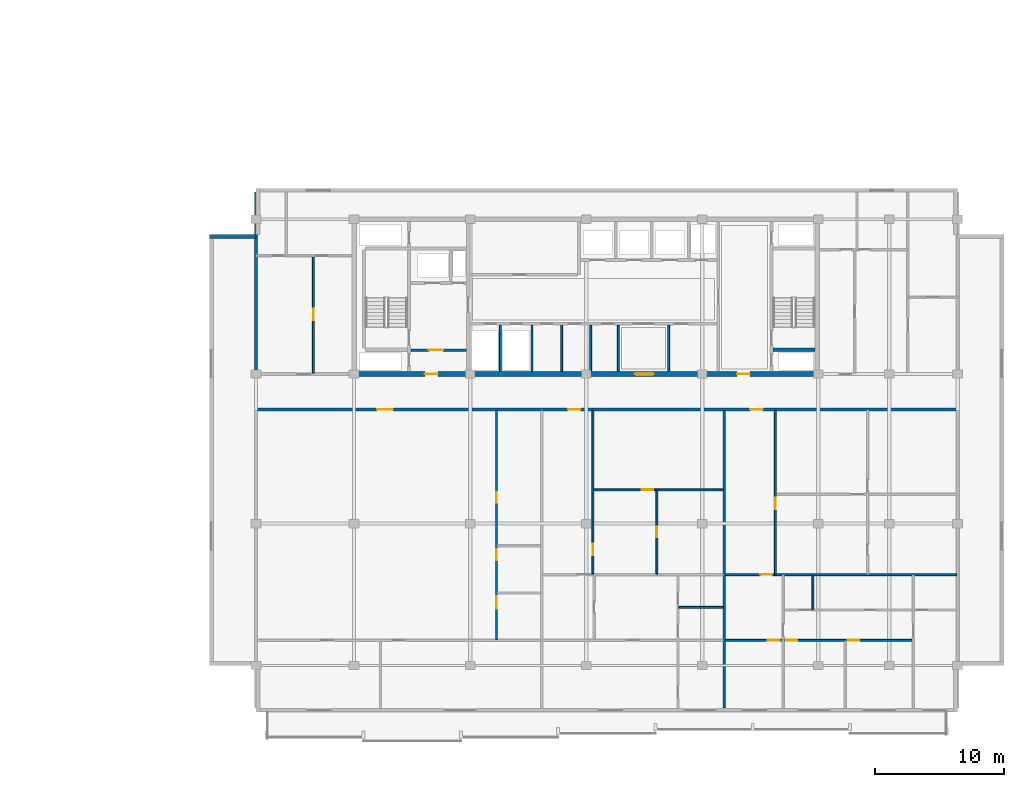
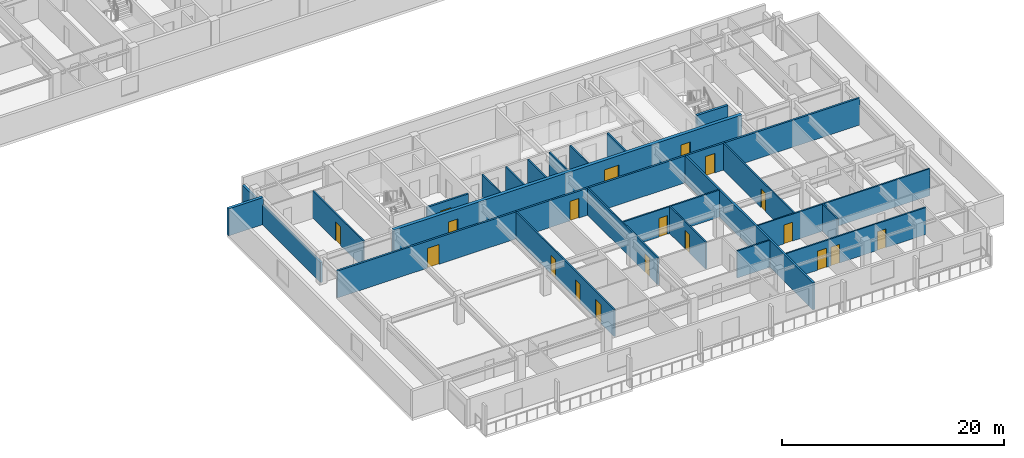
# One storey, part 17 of 32: 23 walls, 19 doors, 19 openings.
"""IFC4 building model written with IfcOpenShell, lengths in metres."""

from ifc_helpers import new_model, si_unit, direction, frame, frame_2d, origin, place, context, subcontext, project, spatial, rectangle, extrude, material, layer, layer_set, type_object, element, fill, save


model = new_model("IFC4")

# Units and contexts
model_context = context("Model", 3, precision=1e-05, world=origin(), true_north=direction((0.0, 1.0)))
body_context = subcontext(model_context, "Body", "Model", "MODEL_VIEW")
ifc_project = project(units=[si_unit("LENGTHUNIT", "METRE"), si_unit("AREAUNIT", "SQUARE_METRE"), si_unit("VOLUMEUNIT", "CUBIC_METRE"), si_unit("PLANEANGLEUNIT", "RADIAN"), si_unit("MASSUNIT", "GRAM", prefix="KILO")], contexts=[model_context])

# Site, building, storey
site_placement = place(None, origin())
site = spatial("IfcSite", under=ifc_project, at=site_placement, CompositionType="ELEMENT")
building_placement = place(site_placement, origin())
building = spatial("IfcBuilding", under=site, at=building_placement, Name="Korimba Cascade Residences", CompositionType="ELEMENT")
storey_placement = place(building_placement, frame((0.0, 0.0, 178.35009765625)))
storey = spatial("IfcBuildingStorey", under=building, at=storey_placement, Name="L51", CompositionType="ELEMENT", Elevation=178.35009765625)

# Wall
ifc_material_1 = material(Name="Precast concrete C40/50", Category="concrete")
ifc_layer_1 = layer(ifc_material_1, 0.300048828125)
ifc_layer_set_1 = layer_set([ifc_layer_1], Name="Precast concrete C40/50")
wall_type_1 = type_object("IfcWallType", Name="EW-STONE-300", PredefinedType="STANDARD", material=ifc_layer_set_1)
wall_1_placement = place(storey_placement, frame((74.5, 29.050048828125, 0.0), z_axis=(0.0, 0.0, 1.0), x_axis=(-1.0, 0.0, 0.0)))
element("IfcWall", 1, at=wall_1_placement, inside=storey, type_object=wall_type_1, Name="L51 T2 Perimeter Stone Wall E08", PredefinedType="STANDARD", context=body_context, shape_type="SweptSolid", body=[
    extrude(rectangle(XDim=3.60009765625, YDim=0.300048828125, at=frame_2d((1.800048828125, 0.0))), origin(), (0.0, 0.0, 1.0), 2.969970703125),
])

# Wall, openings, doors
ifc_material_2 = material(Name="Concrete C65/80", Category="concrete")
ifc_layer_2 = layer(ifc_material_2, 0.35009765625)
ifc_layer_set_2 = layer_set([ifc_layer_2], Name="Concrete C65/80")
wall_type_2 = type_object("IfcWallType", Name="WAL-CORE-350", PredefinedType="SHEAR", material=ifc_layer_set_2)
wall_2_placement = place(storey_placement, frame((81.925048828125, 18.39990234375, 0.0), z_axis=(0.0, 0.0, 1.0), x_axis=(1.0, 0.0, 0.0)))
wall_2 = element("IfcWall", 2, at=wall_2_placement, inside=storey, type_object=wall_type_2, Name="L51 Core Shear Wall CW-L51-T2-S", PredefinedType="SHEAR", context=body_context, shape_type="SweptSolid", body=[
    extrude(rectangle(XDim=36.264892578125, YDim=0.35009765625, at=frame_2d((18.13232421875, 0.0))), origin(), (0.0, 0.0, 1.0), 3.25),
])
opening_1_placement = place(wall_2_placement, frame((5.675048828125, 0.0, 0.0)))
opening_1 = element("IfcOpeningElement", 3, at=opening_1_placement, cuts=wall_2, Name="Opening D-FD5", PredefinedType="OPENING", context=body_context, shape_type="SweptSolid", body=[
    extrude(rectangle(XDim=1.0, YDim=2.14990234375, at=frame_2d((0.5, 1.074951171875))), frame((0.0, 0.18505859375, 0.0), z_axis=(0.0, -1.0, 0.0), x_axis=(1.0, 0.0, 0.0)), (0.0, 0.0, 1.0), 0.3701171875),
])
opening_2_placement = place(wall_2_placement, frame((21.925048828125, 0.0, 0.0)))
opening_2 = element("IfcOpeningElement", 4, at=opening_2_placement, cuts=wall_2, Name="Opening D-FD8", PredefinedType="OPENING", context=body_context, shape_type="SweptSolid", body=[
    extrude(rectangle(XDim=1.5, YDim=2.199951171875, at=frame_2d((0.75, 1.10009765625))), frame((0.0, 0.18505859375, 0.0), z_axis=(0.0, -1.0, 0.0), x_axis=(1.0, 0.0, 0.0)), (0.0, 0.0, 1.0), 0.3701171875),
])
opening_3_placement = place(wall_2_placement, frame((29.875, 0.0, 0.0)))
opening_3 = element("IfcOpeningElement", 5, at=opening_3_placement, cuts=wall_2, Name="Opening D-FD5", PredefinedType="OPENING", context=body_context, shape_type="SweptSolid", body=[
    extrude(rectangle(XDim=1.0, YDim=2.14990234375, at=frame_2d((0.5, 1.074951171875))), frame((0.0, 0.18505859375, 0.0), z_axis=(0.0, -1.0, 0.0), x_axis=(1.0, 0.0, 0.0)), (0.0, 0.0, 1.0), 0.3701171875),
])
ifc_material_3 = material(Name="Fire-Rated Acoustic Timber Vestibule Door", Category="wood")
door_type_1 = type_object("IfcDoorType", Name="DR-FD90-1000", OperationType="NOTDEFINED", PredefinedType="DOOR", material=ifc_material_3)
door_1_placement = place(opening_1_placement, origin())
door_1 = element("IfcDoor", 6, at=door_1_placement, inside=storey, type_object=door_type_1, Name="L51 T2 West Core Vestibule Fire Door", OperationType="SINGLE_SWING_LEFT", OverallHeight=2.14990234375, OverallWidth=1.0, PredefinedType="DOOR", context=body_context, shape_type="SweptSolid", body=[
    extrude(rectangle(XDim=1.0, YDim=2.14990234375, at=frame_2d((0.5, 1.074951171875))), frame((0.0, 0.02490234375, 0.0), z_axis=(0.0, -1.0, 0.0), x_axis=(1.0, 0.0, 0.0)), (0.0, 0.0, 1.0), 0.050048828125),
])
fill(opening_1, door_1)
door_2_placement = place(opening_3_placement, origin())
door_2 = element("IfcDoor", 7, at=door_2_placement, inside=storey, type_object=door_type_1, Name="L51 T2 East Stair Vestibule Fire Door", OperationType="SINGLE_SWING_RIGHT", OverallHeight=2.14990234375, OverallWidth=1.0, PredefinedType="DOOR", context=body_context, shape_type="SweptSolid", body=[
    extrude(rectangle(XDim=1.0, YDim=2.14990234375, at=frame_2d((0.5, 1.074951171875))), frame((0.0, 0.02490234375, 0.0), z_axis=(0.0, -1.0, 0.0), x_axis=(1.0, 0.0, 0.0)), (0.0, 0.0, 1.0), 0.050048828125),
])
fill(opening_3, door_2)
ifc_material_4 = material(Name="Fire-Rated Glazed Lift Lobby Double Door", Category="glass")
door_type_2 = type_object("IfcDoorType", Name="DR-FD90-1500", OperationType="NOTDEFINED", PredefinedType="DOOR", material=ifc_material_4)
door_3_placement = place(opening_2_placement, origin())
door_3 = element("IfcDoor", 8, at=door_3_placement, inside=storey, type_object=door_type_2, Name="L51 T2 Lift Lobby Fire Door", OperationType="DOUBLE_DOOR_SINGLE_SWING", OverallHeight=2.199951171875, OverallWidth=1.5, PredefinedType="DOOR", context=body_context, shape_type="SweptSolid", body=[
    extrude(rectangle(XDim=1.5, YDim=2.199951171875, at=frame_2d((0.75, 1.10009765625))), frame((0.0, 0.02490234375, 0.0), z_axis=(0.0, -1.0, 0.0), x_axis=(1.0, 0.0, 0.0)), (0.0, 0.0, 1.0), 0.050048828125),
])
fill(opening_2, door_3)

# Walls
ifc_layer_3 = layer(ifc_material_1, 0.199951171875)
ifc_layer_set_3 = layer_set([ifc_layer_3], Name="Precast concrete C40/50")
wall_type_3 = type_object("IfcWallType", Name="WAL-IT-200", PredefinedType="PARTITIONING", material=ifc_layer_set_3)
wall_3_placement = place(storey_placement, frame((74.5, 18.39990234375, 0.0), z_axis=(0.0, 0.0, 1.0), x_axis=(0.0, 1.0, 0.0)))
element("IfcWall", 9, at=wall_3_placement, inside=storey, type_object=wall_type_3, Name="L51 Partition Wall WAL-L51-T2-FW-WL", PredefinedType="PARTITIONING", context=body_context, shape_type="SweptSolid", body=[
    extrude(rectangle(XDim=14.10009765625, YDim=0.199951171875, at=frame_2d((7.050048828125, 0.0))), origin(), (0.0, 0.0, 1.0), 2.2001953125),
])
wall_4_placement = place(storey_placement, frame((110.79638671875, -7.5, 0.0), z_axis=(0.0, 0.0, 1.0), x_axis=(0.0, 1.0, 0.0)))
element("IfcWall", 10, at=wall_4_placement, inside=storey, type_object=wall_type_3, Name="L51 Partition Wall WAL-L51-T2-DEM-2", PredefinedType="PARTITIONING", context=body_context, shape_type="SweptSolid", body=[
    extrude(rectangle(XDim=23.070068359375, YDim=0.199951171875, at=frame_2d((11.53515625, 0.0))), origin(), (0.0, 0.0, 1.0), 2.969970703125),
])

# Wall, openings, doors
wall_5_placement = place(storey_placement, frame((74.5, 15.64990234375, 0.0), z_axis=(0.0, 0.0, 1.0), x_axis=(1.0, 0.0, 0.0)))
wall_5 = element("IfcWall", 11, at=wall_5_placement, inside=storey, type_object=wall_type_3, Name="L51 Partition Wall WAL-L51-T2-CORS", PredefinedType="PARTITIONING", context=body_context, shape_type="SweptSolid", body=[
    extrude(rectangle(XDim=54.39990234375, YDim=0.199951171875, at=frame_2d((27.199951171875, 0.0))), origin(), (0.0, 0.0, 1.0), 2.969970703125),
])
opening_4_placement = place(wall_5_placement, frame((9.384521484375, 0.0, 0.0)))
opening_4 = element("IfcOpeningElement", 12, at=opening_4_placement, cuts=wall_5, Name="Opening D-AM1", PredefinedType="OPENING", context=body_context, shape_type="SweptSolid", body=[
    extrude(rectangle(XDim=1.219970703125, YDim=2.179931640625, at=frame_2d((0.60986328125, 1.08984375))), frame((0.0, 0.10986328125, 0.0), z_axis=(0.0, -1.0, 0.0), x_axis=(1.0, 0.0, 0.0)), (0.0, 0.0, 1.0), 0.219970703125),
])
opening_5_placement = place(wall_5_placement, frame((24.194091796875, 0.0, 0.0)))
opening_5 = element("IfcOpeningElement", 13, at=opening_5_placement, cuts=wall_5, Name="Opening D-UN1", PredefinedType="OPENING", context=body_context, shape_type="SweptSolid", body=[
    extrude(rectangle(XDim=0.949951171875, YDim=2.14990234375, at=frame_2d((0.47509765625, 1.074951171875))), frame((0.0, 0.10986328125, 0.0), z_axis=(0.0, -1.0, 0.0), x_axis=(1.0, 0.0, 0.0)), (0.0, 0.0, 1.0), 0.219970703125),
])
opening_6_placement = place(wall_5_placement, frame((38.34130859375, 0.0, 0.0)))
opening_6 = element("IfcOpeningElement", 14, at=opening_6_placement, cuts=wall_5, Name="Opening D-UN1", PredefinedType="OPENING", context=body_context, shape_type="SweptSolid", body=[
    extrude(rectangle(XDim=0.949951171875, YDim=2.14990234375, at=frame_2d((0.47509765625, 1.074951171875))), frame((0.0, 0.10986328125, 0.0), z_axis=(0.0, -1.0, 0.0), x_axis=(1.0, 0.0, 0.0)), (0.0, 0.0, 1.0), 0.219970703125),
])
ifc_material_5 = material(Name="Fire-Rated Glazed Timber Suite Door", Category="wood")
door_type_3 = type_object("IfcDoorType", Name="DR-FD60-1200", OperationType="NOTDEFINED", PredefinedType="DOOR", material=ifc_material_5)
door_4_placement = place(opening_4_placement, origin())
door_4 = element("IfcDoor", 15, at=door_4_placement, inside=storey, type_object=door_type_3, Name="L51-T2-U01 Transfer Reception Foyer Door", OperationType="SINGLE_SWING_RIGHT", OverallHeight=2.179931640625, OverallWidth=1.219970703125, PredefinedType="DOOR", context=body_context, shape_type="SweptSolid", body=[
    extrude(rectangle(XDim=1.219970703125, YDim=2.179931640625, at=frame_2d((0.60986328125, 1.08984375))), frame((0.0, 0.02490234375, 0.0), z_axis=(0.0, -1.0, 0.0), x_axis=(1.0, 0.0, 0.0)), (0.0, 0.0, 1.0), 0.050048828125),
])
fill(opening_4, door_4)
ifc_material_6 = material(Name="Fire-Rated Hardwood Apartment Entrance Door", Category="wood")
door_type_4 = type_object("IfcDoorType", Name="DR-FD60-950", OperationType="NOTDEFINED", PredefinedType="DOOR", material=ifc_material_6)
door_5_placement = place(opening_5_placement, origin())
door_5 = element("IfcDoor", 16, at=door_5_placement, inside=storey, type_object=door_type_4, Name="Unit L51-T2-U02 Entrance Door", OperationType="SINGLE_SWING_LEFT", OverallHeight=2.14990234375, OverallWidth=0.949951171875, PredefinedType="DOOR", context=body_context, shape_type="SweptSolid", body=[
    extrude(rectangle(XDim=0.949951171875, YDim=2.14990234375, at=frame_2d((0.47509765625, 1.074951171875))), frame((0.0, 0.02490234375, 0.0), z_axis=(0.0, -1.0, 0.0), x_axis=(1.0, 0.0, 0.0)), (0.0, 0.0, 1.0), 0.050048828125),
])
fill(opening_5, door_5)
door_6_placement = place(opening_6_placement, origin())
door_6 = element("IfcDoor", 17, at=door_6_placement, inside=storey, type_object=door_type_4, Name="Unit L51-T2-U03 Entrance Door", OperationType="SINGLE_SWING_RIGHT", OverallHeight=2.14990234375, OverallWidth=0.949951171875, PredefinedType="DOOR", context=body_context, shape_type="SweptSolid", body=[
    extrude(rectangle(XDim=0.949951171875, YDim=2.14990234375, at=frame_2d((0.47509765625, 1.074951171875))), frame((0.0, 0.02490234375, 0.0), z_axis=(0.0, -1.0, 0.0), x_axis=(1.0, 0.0, 0.0)), (0.0, 0.0, 1.0), 0.050048828125),
])
fill(opening_6, door_6)

# Walls
ifc_material_7 = material(Name="Insulated Acoustic Stud Partition", Category="gypsum")
ifc_layer_4 = layer(ifc_material_7, 0.14990234375)
ifc_layer_set_4 = layer_set([ifc_layer_4], Name="Insulated Acoustic Stud Partition")
wall_type_4 = type_object("IfcWallType", Name="WAL-PART-150", PredefinedType="PARTITIONING", material=ifc_layer_set_4)
for number, where, z_axis, x_axis, name in (
    (18, (93.449951171875, 18.60009765625, 0.0), (0.0, 0.0, 1.0), (0.0, 1.0, 0.0), "L51 Partition Wall CW-L51-T2-ERDIV"),
    (19, (95.89990234375, 18.60009765625, 0.0), (0.0, 0.0, 1.0), (0.0, 1.0, 0.0), "L51 Partition Wall CW-L51-T2-PRDIV"),
    (20, (98.199951171875, 18.60009765625, 0.0), (0.0, 0.0, 1.0), (0.0, 1.0, 0.0), "L51 Partition Wall CW-L51-T2-CA1W1"),
    (21, (100.449951171875, 18.60009765625, 0.0), (0.0, 0.0, 1.0), (0.0, 1.0, 0.0), "L51 Partition Wall CW-L51-T2-CA1W2"),
    (22, (102.60009765625, 18.60009765625, 0.0), (0.0, 0.0, 1.0), (0.0, 1.0, 0.0), "L51 Partition Wall CW-L51-T2-THW"),
    (23, (106.5, 18.60009765625, 0.0), (0.0, 0.0, 1.0), (0.0, 1.0, 0.0), "L51 Partition Wall CW-L51-T2-THE"),
):
    element("IfcWall", number, at=place(storey_placement, frame(where, z_axis=z_axis, x_axis=x_axis)), inside=storey, type_object=wall_type_4, Name=name, PredefinedType="PARTITIONING", context=body_context, shape_type="SweptSolid", body=[
        extrude(rectangle(XDim=3.599853515625, YDim=0.14990234375, at=frame_2d((1.7998046875, 0.0))), origin(), (0.0, 0.0, 1.0), 2.969970703125),
    ])

# Wall, opening, door
wall_6_placement = place(storey_placement, frame((78.945068359375, 18.449951171875, 0.0), z_axis=(0.0, 0.0, 1.0), x_axis=(0.0, 1.0, 0.0)))
wall_6 = element("IfcWall", 24, at=wall_6_placement, inside=storey, type_object=wall_type_4, Name="L51 Partition Wall WAL-L51-T2-FW-VS", PredefinedType="PARTITIONING", context=body_context, shape_type="SweptSolid", body=[
    extrude(rectangle(XDim=9.1201171875, YDim=0.14990234375, at=frame_2d((4.56005859375, 0.0))), origin(), (0.0, 0.0, 1.0), 2.969970703125),
])
opening_7_placement = place(wall_6_placement, frame((4.10009765625, 0.0, 0.0)))
opening_7 = element("IfcOpeningElement", 25, at=opening_7_placement, cuts=wall_6, Name="Opening D-IN1", PredefinedType="OPENING", context=body_context, shape_type="SweptSolid", body=[
    extrude(rectangle(XDim=0.919921875, YDim=2.080078125, at=frame_2d((0.4599609375, 1.0400390625))), frame((0.0, 0.0849609375, 0.0), z_axis=(0.0, -1.0, 0.0), x_axis=(1.0, 0.0, 0.0)), (0.0, 0.0, 1.0), 0.169921875),
])
ifc_material_8 = material(Name="Acoustic Timber Living Door", Category="wood")
door_type_5 = type_object("IfcDoorType", Name="DR-INT-920", OperationType="NOTDEFINED", PredefinedType="DOOR", material=ifc_material_8)
door_7_placement = place(opening_7_placement, origin())
door_7 = element("IfcDoor", 26, at=door_7_placement, inside=storey, type_object=door_type_5, Name="L51-T2-FW Living Door", OperationType="SINGLE_SWING_LEFT", OverallHeight=2.080078125, OverallWidth=0.919921875, PredefinedType="DOOR", context=body_context, shape_type="SweptSolid", body=[
    extrude(rectangle(XDim=0.919921875, YDim=2.080078125, at=frame_2d((0.4599609375, 1.0400390625))), frame((0.0, 0.02490234375, 0.0), z_axis=(0.0, -1.0, 0.0), x_axis=(1.0, 0.0, 0.0)), (0.0, 0.0, 1.0), 0.050048828125),
])
fill(opening_7, door_7)

# Wall, openings, doors
wall_7_placement = place(storey_placement, frame((93.149169921875, -2.18994140625, 0.0), z_axis=(0.0, 0.0, 1.0), x_axis=(0.0, 1.0, 0.0)))
wall_7 = element("IfcWall", 27, at=wall_7_placement, inside=storey, type_object=wall_type_4, Name="L51 Partition Wall WAL-L51-T2-U01-WCV", PredefinedType="PARTITIONING", context=body_context, shape_type="SweptSolid", body=[
    extrude(rectangle(XDim=17.780029296875, YDim=0.14990234375, at=frame_2d((8.89013671875, 0.0))), origin(), (0.0, 0.0, 1.0), 2.969970703125),
])
opening_8_placement = place(wall_7_placement, frame((2.406005859375, 0.0, 0.0)))
opening_8 = element("IfcOpeningElement", 28, at=opening_8_placement, cuts=wall_7, Name="Opening D-AC1", PredefinedType="OPENING", context=body_context, shape_type="SweptSolid", body=[
    extrude(rectangle(XDim=0.9599609375, YDim=2.10009765625, at=frame_2d((0.47998046875, 1.050048828125))), frame((0.0, 0.0849609375, 0.0), z_axis=(0.0, -1.0, 0.0), x_axis=(1.0, 0.0, 0.0)), (0.0, 0.0, 1.0), 0.169921875),
])
opening_9_placement = place(wall_7_placement, frame((6.132568359375, 0.0, 0.0)))
opening_9 = element("IfcOpeningElement", 29, at=opening_9_placement, cuts=wall_7, Name="Opening D-IN2", PredefinedType="OPENING", context=body_context, shape_type="SweptSolid", body=[
    extrude(rectangle(XDim=0.8798828125, YDim=2.06005859375, at=frame_2d((0.43994140625, 1.030029296875))), frame((0.0, 0.0849609375, 0.0), z_axis=(0.0, -1.0, 0.0), x_axis=(1.0, 0.0, 0.0)), (0.0, 0.0, 1.0), 0.169921875),
])
opening_10_placement = place(wall_7_placement, frame((10.5947265625, 0.0, 0.0)))
opening_10 = element("IfcOpeningElement", 30, at=opening_10_placement, cuts=wall_7, Name="Opening D-BT1", PredefinedType="OPENING", context=body_context, shape_type="SweptSolid", body=[
    extrude(rectangle(XDim=0.840087890625, YDim=2.0400390625, at=frame_2d((0.419921875, 1.02001953125))), frame((0.0, 0.0849609375, 0.0), z_axis=(0.0, -1.0, 0.0), x_axis=(1.0, 0.0, 0.0)), (0.0, 0.0, 1.0), 0.169921875),
])
ifc_material_9 = material(Name="Accessible Acoustic Timber WC Door", Category="wood")
door_type_6 = type_object("IfcDoorType", Name="DR-ACC-950", OperationType="NOTDEFINED", PredefinedType="DOOR", material=ifc_material_9)
door_8_placement = place(opening_8_placement, origin())
door_8 = element("IfcDoor", 31, at=door_8_placement, inside=storey, type_object=door_type_6, Name="L51-T2-U01 Accessible WC Door", OperationType="SINGLE_SWING_LEFT", OverallHeight=2.10009765625, OverallWidth=0.9599609375, PredefinedType="DOOR", context=body_context, shape_type="SweptSolid", body=[
    extrude(rectangle(XDim=0.9599609375, YDim=2.10009765625, at=frame_2d((0.47998046875, 1.050048828125))), frame((0.0, 0.02490234375, 0.0), z_axis=(0.0, -1.0, 0.0), x_axis=(1.0, 0.0, 0.0)), (0.0, 0.0, 1.0), 0.050048828125),
])
fill(opening_8, door_8)
ifc_material_10 = material(Name="Moisture-Resistant Bathroom Timber Door", Category="wood")
door_type_7 = type_object("IfcDoorType", Name="DR-INT-850", OperationType="NOTDEFINED", PredefinedType="DOOR", material=ifc_material_10)
door_9_placement = place(opening_10_placement, origin())
door_9 = element("IfcDoor", 32, at=door_9_placement, inside=storey, type_object=door_type_7, Name="L51-T2-U01 Suite Store Door", OperationType="SINGLE_SWING_LEFT", OverallHeight=2.0400390625, OverallWidth=0.840087890625, PredefinedType="DOOR", context=body_context, shape_type="SweptSolid", body=[
    extrude(rectangle(XDim=0.840087890625, YDim=2.0400390625, at=frame_2d((0.419921875, 1.02001953125))), frame((0.0, 0.02490234375, 0.0), z_axis=(0.0, -1.0, 0.0), x_axis=(1.0, 0.0, 0.0)), (0.0, 0.0, 1.0), 0.050048828125),
])
fill(opening_10, door_9)
ifc_material_11 = material(Name="Acoustic Timber Bedroom Door", Category="wood")
door_type_8 = type_object("IfcDoorType", Name="DR-INT-880", OperationType="NOTDEFINED", PredefinedType="DOOR", material=ifc_material_11)
door_10_placement = place(opening_9_placement, origin())
door_10 = element("IfcDoor", 33, at=door_10_placement, inside=storey, type_object=door_type_8, Name="L51-T2-U01 Restroom WC Door", OperationType="SINGLE_SWING_RIGHT", OverallHeight=2.06005859375, OverallWidth=0.8798828125, PredefinedType="DOOR", context=body_context, shape_type="SweptSolid", body=[
    extrude(rectangle(XDim=0.8798828125, YDim=2.06005859375, at=frame_2d((0.43994140625, 1.030029296875))), frame((0.0, 0.02490234375, 0.0), z_axis=(0.0, -1.0, 0.0), x_axis=(1.0, 0.0, 0.0)), (0.0, 0.0, 1.0), 0.050048828125),
])
fill(opening_9, door_10)

# Wall, opening, door
wall_8_placement = place(storey_placement, frame((105.57763671875, 2.889892578125, 0.0), z_axis=(0.0, 0.0, 1.0), x_axis=(0.0, 1.0, 0.0)))
wall_8 = element("IfcWall", 34, at=wall_8_placement, inside=storey, type_object=wall_type_4, Name="L51 Partition Wall WAL-L51-T2-U02-FMV", PredefinedType="PARTITIONING", context=body_context, shape_type="SweptSolid", body=[
    extrude(rectangle(XDim=6.530029296875, YDim=0.14990234375, at=frame_2d((3.26513671875, 0.0))), origin(), (0.0, 0.0, 1.0), 2.969970703125),
])
opening_11_placement = place(wall_8_placement, frame((2.844970703125, 0.0, 0.0)))
opening_11 = element("IfcOpeningElement", 35, at=opening_11_placement, cuts=wall_8, Name="Opening D-BT1", PredefinedType="OPENING", context=body_context, shape_type="SweptSolid", body=[
    extrude(rectangle(XDim=0.840087890625, YDim=2.0400390625, at=frame_2d((0.419921875, 1.02001953125))), frame((0.0, 0.0849609375, 0.0), z_axis=(0.0, -1.0, 0.0), x_axis=(1.0, 0.0, 0.0)), (0.0, 0.0, 1.0), 0.169921875),
])
door_11_placement = place(opening_11_placement, origin())
door_11 = element("IfcDoor", 36, at=door_11_placement, inside=storey, type_object=door_type_7, Name="L51-T2-U02 Wardrobe Door", OperationType="SINGLE_SWING_RIGHT", OverallHeight=2.0400390625, OverallWidth=0.840087890625, PredefinedType="DOOR", context=body_context, shape_type="SweptSolid", body=[
    extrude(rectangle(XDim=0.840087890625, YDim=2.0400390625, at=frame_2d((0.419921875, 1.02001953125))), frame((0.0, 0.02490234375, 0.0), z_axis=(0.0, -1.0, 0.0), x_axis=(1.0, 0.0, 0.0)), (0.0, 0.0, 1.0), 0.050048828125),
])
fill(opening_11, door_11)

wall_9_placement = place(storey_placement, frame((100.67919921875, 9.419921875, 0.0), z_axis=(0.0, 0.0, 1.0), x_axis=(1.0, 0.0, 0.0)))
wall_9 = element("IfcWall", 37, at=wall_9_placement, inside=storey, type_object=wall_type_4, Name="L51 Partition Wall WAL-L51-T2-U02-FMH", PredefinedType="PARTITIONING", context=body_context, shape_type="SweptSolid", body=[
    extrude(rectangle(XDim=10.037109375, YDim=0.14990234375, at=frame_2d((5.0185546875, 0.0))), origin(), (0.0, 0.0, 1.0), 2.969970703125),
])
opening_12_placement = place(wall_9_placement, frame((3.7294921875, 0.0, 0.0)))
opening_12 = element("IfcOpeningElement", 38, at=opening_12_placement, cuts=wall_9, Name="Opening D-IN2", PredefinedType="OPENING", context=body_context, shape_type="SweptSolid", body=[
    extrude(rectangle(XDim=0.8798828125, YDim=2.06005859375, at=frame_2d((0.43994140625, 1.030029296875))), frame((0.0, 0.0849609375, 0.0), z_axis=(0.0, -1.0, 0.0), x_axis=(1.0, 0.0, 0.0)), (0.0, 0.0, 1.0), 0.169921875),
])
door_12_placement = place(opening_12_placement, origin())
door_12 = element("IfcDoor", 39, at=door_12_placement, inside=storey, type_object=door_type_8, Name="L51-T2-U02 Library Salon Door", OperationType="SINGLE_SWING_LEFT", OverallHeight=2.06005859375, OverallWidth=0.8798828125, PredefinedType="DOOR", context=body_context, shape_type="SweptSolid", body=[
    extrude(rectangle(XDim=0.8798828125, YDim=2.06005859375, at=frame_2d((0.43994140625, 1.030029296875))), frame((0.0, 0.02490234375, 0.0), z_axis=(0.0, -1.0, 0.0), x_axis=(1.0, 0.0, 0.0)), (0.0, 0.0, 1.0), 0.050048828125),
])
fill(opening_12, door_12)

wall_10_placement = place(storey_placement, frame((100.619140625, 2.889892578125, 0.0), z_axis=(0.0, 0.0, 1.0), x_axis=(0.0, 1.0, 0.0)))
wall_10 = element("IfcWall", 40, at=wall_10_placement, inside=storey, type_object=wall_type_4, Name="L51 Partition Wall WAL-L51-T2-U02-FV", PredefinedType="PARTITIONING", context=body_context, shape_type="SweptSolid", body=[
    extrude(rectangle(XDim=12.7001953125, YDim=0.14990234375, at=frame_2d((6.35009765625, 0.0))), origin(), (0.0, 0.0, 1.0), 2.969970703125),
])
opening_13_placement = place(wall_10_placement, frame((1.4609375, 0.0, 0.0)))
opening_13 = element("IfcOpeningElement", 41, at=opening_13_placement, cuts=wall_10, Name="Opening D-IN2", PredefinedType="OPENING", context=body_context, shape_type="SweptSolid", body=[
    extrude(rectangle(XDim=0.8798828125, YDim=2.06005859375, at=frame_2d((0.43994140625, 1.030029296875))), frame((0.0, 0.0849609375, 0.0), z_axis=(0.0, -1.0, 0.0), x_axis=(1.0, 0.0, 0.0)), (0.0, 0.0, 1.0), 0.169921875),
])
door_13_placement = place(opening_13_placement, origin())
door_13 = element("IfcDoor", 42, at=door_13_placement, inside=storey, type_object=door_type_8, Name="L51-T2-U02 Media Lounge Door", OperationType="SINGLE_SWING_RIGHT", OverallHeight=2.06005859375, OverallWidth=0.8798828125, PredefinedType="DOOR", context=body_context, shape_type="SweptSolid", body=[
    extrude(rectangle(XDim=0.8798828125, YDim=2.06005859375, at=frame_2d((0.43994140625, 1.030029296875))), frame((0.0, 0.02490234375, 0.0), z_axis=(0.0, -1.0, 0.0), x_axis=(1.0, 0.0, 0.0)), (0.0, 0.0, 1.0), 0.050048828125),
])
fill(opening_13, door_13)

# Wall
wall_11_placement = place(storey_placement, frame((107.280029296875, 0.31005859375, 0.0), z_axis=(0.0, 0.0, 1.0), x_axis=(1.0, 0.0, 0.0)))
element("IfcWall", 43, at=wall_11_placement, inside=storey, type_object=wall_type_4, Name="L51 Partition Wall WAL-L51-T2-U02-BLDIV", PredefinedType="PARTITIONING", context=body_context, shape_type="SweptSolid", body=[
    extrude(rectangle(XDim=3.436279296875, YDim=0.14990234375, at=frame_2d((1.71826171875, 0.0))), origin(), (0.0, 0.0, 1.0), 2.969970703125),
])

# Wall, opening, door
wall_12_placement = place(storey_placement, frame((114.766357421875, 2.889892578125, 0.0), z_axis=(0.0, 0.0, 1.0), x_axis=(0.0, 1.0, 0.0)))
wall_12 = element("IfcWall", 44, at=wall_12_placement, inside=storey, type_object=wall_type_4, Name="L51 Partition Wall WAL-L51-T2-U03-FV", PredefinedType="PARTITIONING", context=body_context, shape_type="SweptSolid", body=[
    extrude(rectangle(XDim=12.7001953125, YDim=0.14990234375, at=frame_2d((6.35009765625, 0.0))), origin(), (0.0, 0.0, 1.0), 2.969970703125),
])
opening_14_placement = place(wall_12_placement, frame((5.0400390625, 0.0, 0.0)))
opening_14 = element("IfcOpeningElement", 45, at=opening_14_placement, cuts=wall_12, Name="Opening D-IN2", PredefinedType="OPENING", context=body_context, shape_type="SweptSolid", body=[
    extrude(rectangle(XDim=0.8798828125, YDim=2.06005859375, at=frame_2d((0.43994140625, 1.030029296875))), frame((0.0, 0.0849609375, 0.0), z_axis=(0.0, -1.0, 0.0), x_axis=(1.0, 0.0, 0.0)), (0.0, 0.0, 1.0), 0.169921875),
])
door_14_placement = place(opening_14_placement, origin())
door_14 = element("IfcDoor", 46, at=door_14_placement, inside=storey, type_object=door_type_8, Name="L51-T2-U03 Media Lounge Door", OperationType="SINGLE_SWING_RIGHT", OverallHeight=2.06005859375, OverallWidth=0.8798828125, PredefinedType="DOOR", context=body_context, shape_type="SweptSolid", body=[
    extrude(rectangle(XDim=0.8798828125, YDim=2.06005859375, at=frame_2d((0.43994140625, 1.030029296875))), frame((0.0, 0.02490234375, 0.0), z_axis=(0.0, -1.0, 0.0), x_axis=(1.0, 0.0, 0.0)), (0.0, 0.0, 1.0), 0.050048828125),
])
fill(opening_14, door_14)

# Wall
wall_13_placement = place(storey_placement, frame((117.686279296875, 0.1201171875, 0.0), z_axis=(0.0, 0.0, 1.0), x_axis=(0.0, 1.0, 0.0)))
element("IfcWall", 47, at=wall_13_placement, inside=storey, type_object=wall_type_4, Name="L51 Partition Wall WAL-L51-T2-U03-VDRS", PredefinedType="PARTITIONING", context=body_context, shape_type="SweptSolid", body=[
    extrude(rectangle(XDim=2.68994140625, YDim=0.14990234375, at=frame_2d((1.344970703125, 0.0))), origin(), (0.0, 0.0, 1.0), 2.969970703125),
])

# Wall, opening, door
wall_14_placement = place(storey_placement, frame((110.87646484375, 2.85009765625, 0.0), z_axis=(0.0, 0.0, 1.0), x_axis=(1.0, 0.0, 0.0)))
wall_14 = element("IfcWall", 48, at=wall_14_placement, inside=storey, type_object=wall_type_4, Name="L51 Partition Wall WAL-L51-T2-U03-MW", PredefinedType="PARTITIONING", context=body_context, shape_type="SweptSolid", body=[
    extrude(rectangle(XDim=17.943603515625, YDim=0.14990234375, at=frame_2d((8.9716796875, 0.0))), origin(), (0.0, 0.0, 1.0), 2.969970703125),
])
opening_15_placement = place(wall_14_placement, frame((2.719970703125, 0.0, 0.0)))
opening_15 = element("IfcOpeningElement", 49, at=opening_15_placement, cuts=wall_14, Name="Opening D-IN1", PredefinedType="OPENING", context=body_context, shape_type="SweptSolid", body=[
    extrude(rectangle(XDim=0.919921875, YDim=2.080078125, at=frame_2d((0.4599609375, 1.0400390625))), frame((0.0, 0.0849609375, 0.0), z_axis=(0.0, -1.0, 0.0), x_axis=(1.0, 0.0, 0.0)), (0.0, 0.0, 1.0), 0.169921875),
])
door_15_placement = place(opening_15_placement, origin())
door_15 = element("IfcDoor", 50, at=door_15_placement, inside=storey, type_object=door_type_5, Name="L51-T2-U03 Kitchen Door", OperationType="SINGLE_SWING_RIGHT", OverallHeight=2.080078125, OverallWidth=0.919921875, PredefinedType="DOOR", context=body_context, shape_type="SweptSolid", body=[
    extrude(rectangle(XDim=0.919921875, YDim=2.080078125, at=frame_2d((0.4599609375, 1.0400390625))), frame((0.0, 0.02490234375, 0.0), z_axis=(0.0, -1.0, 0.0), x_axis=(1.0, 0.0, 0.0)), (0.0, 0.0, 1.0), 0.050048828125),
])
fill(opening_15, door_15)

# Wall, openings, doors
wall_15_placement = place(storey_placement, frame((110.87646484375, -2.25, 0.0), z_axis=(0.0, 0.0, 1.0), x_axis=(1.0, 0.0, 0.0)))
wall_15 = element("IfcWall", 51, at=wall_15_placement, inside=storey, type_object=wall_type_4, Name="L51 Partition Wall WAL-L51-T2-U03-HZ", PredefinedType="PARTITIONING", context=body_context, shape_type="SweptSolid", body=[
    extrude(rectangle(XDim=14.603515625, YDim=0.14990234375, at=frame_2d((7.3017578125, 0.0))), origin(), (0.0, 0.0, 1.0), 2.969970703125),
])
opening_16_placement = place(wall_15_placement, frame((3.31005859375, 0.0, 0.0)))
opening_16 = element("IfcOpeningElement", 52, at=opening_16_placement, cuts=wall_15, Name="Opening D-IN0", PredefinedType="OPENING", context=body_context, shape_type="SweptSolid", body=[
    extrude(rectangle(XDim=0.93994140625, YDim=2.10009765625, at=frame_2d((0.469970703125, 1.050048828125))), frame((0.0, 0.0849609375, 0.0), z_axis=(0.0, -1.0, 0.0), x_axis=(1.0, 0.0, 0.0)), (0.0, 0.0, 1.0), 0.169921875),
])
opening_17_placement = place(wall_15_placement, frame((4.719970703125, 0.0, 0.0)))
opening_17 = element("IfcOpeningElement", 53, at=opening_17_placement, cuts=wall_15, Name="Opening D-IN2", PredefinedType="OPENING", context=body_context, shape_type="SweptSolid", body=[
    extrude(rectangle(XDim=0.8798828125, YDim=2.06005859375, at=frame_2d((0.43994140625, 1.030029296875))), frame((0.0, 0.0849609375, 0.0), z_axis=(0.0, -1.0, 0.0), x_axis=(1.0, 0.0, 0.0)), (0.0, 0.0, 1.0), 0.169921875),
])
opening_18_placement = place(wall_15_placement, frame((9.521728515625, 0.0, 0.0)))
opening_18 = element("IfcOpeningElement", 54, at=opening_18_placement, cuts=wall_15, Name="Opening D-IN2", PredefinedType="OPENING", context=body_context, shape_type="SweptSolid", body=[
    extrude(rectangle(XDim=0.8798828125, YDim=2.06005859375, at=frame_2d((0.43994140625, 1.030029296875))), frame((0.0, 0.0849609375, 0.0), z_axis=(0.0, -1.0, 0.0), x_axis=(1.0, 0.0, 0.0)), (0.0, 0.0, 1.0), 0.169921875),
])
door_16_placement = place(opening_17_placement, origin())
door_16 = element("IfcDoor", 55, at=door_16_placement, inside=storey, type_object=door_type_8, Name="L51-T2-U03 Bedroom 2 Door", OperationType="SINGLE_SWING_RIGHT", OverallHeight=2.06005859375, OverallWidth=0.8798828125, PredefinedType="DOOR", context=body_context, shape_type="SweptSolid", body=[
    extrude(rectangle(XDim=0.8798828125, YDim=2.06005859375, at=frame_2d((0.43994140625, 1.030029296875))), frame((0.0, 0.02490234375, 0.0), z_axis=(0.0, -1.0, 0.0), x_axis=(1.0, 0.0, 0.0)), (0.0, 0.0, 1.0), 0.050048828125),
])
fill(opening_17, door_16)
door_17_placement = place(opening_18_placement, origin())
door_17 = element("IfcDoor", 56, at=door_17_placement, inside=storey, type_object=door_type_8, Name="L51-T2-U03 Study Door", OperationType="SINGLE_SWING_LEFT", OverallHeight=2.06005859375, OverallWidth=0.8798828125, PredefinedType="DOOR", context=body_context, shape_type="SweptSolid", body=[
    extrude(rectangle(XDim=0.8798828125, YDim=2.06005859375, at=frame_2d((0.43994140625, 1.030029296875))), frame((0.0, 0.02490234375, 0.0), z_axis=(0.0, -1.0, 0.0), x_axis=(1.0, 0.0, 0.0)), (0.0, 0.0, 1.0), 0.050048828125),
])
fill(opening_18, door_17)
ifc_material_12 = material(Name="Acoustic Timber Living Archway Door", Category="wood")
door_type_9 = type_object("IfcDoorType", Name="DR-INT-950", OperationType="NOTDEFINED", PredefinedType="DOOR", material=ifc_material_12)
door_18_placement = place(opening_16_placement, origin())
door_18 = element("IfcDoor", 57, at=door_18_placement, inside=storey, type_object=door_type_9, Name="L51-T2-U03 Living Room Door", OperationType="SINGLE_SWING_LEFT", OverallHeight=2.10009765625, OverallWidth=0.93994140625, PredefinedType="DOOR", context=body_context, shape_type="SweptSolid", body=[
    extrude(rectangle(XDim=0.93994140625, YDim=2.10009765625, at=frame_2d((0.469970703125, 1.050048828125))), frame((0.0, 0.02490234375, 0.0), z_axis=(0.0, -1.0, 0.0), x_axis=(1.0, 0.0, 0.0)), (0.0, 0.0, 1.0), 0.050048828125),
])
fill(opening_16, door_18)

# Wall, opening, door
ifc_material_13 = material(Name="Concrete C40/50", Category="concrete")
ifc_layer_5 = layer(ifc_material_13, 0.199951171875)
ifc_layer_set_5 = layer_set([ifc_layer_5], Name="Concrete C40/50")
wall_type_5 = type_object("IfcWallType", Name="WAL-PART-200", PredefinedType="PARTITIONING", material=ifc_layer_set_5)
wall_16_placement = place(storey_placement, frame((86.5, 20.25, 0.0), z_axis=(0.0, 0.0, 1.0), x_axis=(1.0, 0.0, 0.0)))
wall_16 = element("IfcWall", 58, at=wall_16_placement, inside=storey, type_object=wall_type_5, Name="L51 Partition Wall CW-L51-T2-FFLS", PredefinedType="PARTITIONING", context=body_context, shape_type="SweptSolid", body=[
    extrude(rectangle(XDim=4.320068359375, YDim=0.199951171875, at=frame_2d((2.16015625, 0.0))), origin(), (0.0, 0.0, 1.0), 2.969970703125),
])
opening_19_placement = place(wall_16_placement, frame((1.39990234375, 0.0, 0.0)))
opening_19 = element("IfcOpeningElement", 59, at=opening_19_placement, cuts=wall_16, Name="Opening D-FD1", PredefinedType="OPENING", context=body_context, shape_type="SweptSolid", body=[
    extrude(rectangle(XDim=1.10009765625, YDim=2.10009765625, at=frame_2d((0.550048828125, 1.050048828125))), frame((0.0, 0.10986328125, 0.0), z_axis=(0.0, -1.0, 0.0), x_axis=(1.0, 0.0, 0.0)), (0.0, 0.0, 1.0), 0.219970703125),
])
ifc_material_14 = material(Name="Fire-Rated Steel Core Door", Category="steel")
door_type_10 = type_object("IfcDoorType", Name="DR-FD120-1100", OperationType="NOTDEFINED", PredefinedType="DOOR", material=ifc_material_14)
door_19_placement = place(opening_19_placement, origin())
door_19 = element("IfcDoor", 60, at=door_19_placement, inside=storey, type_object=door_type_10, Name="L51 T2 Firefighting Lobby Door", OperationType="SINGLE_SWING_LEFT", OverallHeight=2.10009765625, OverallWidth=1.10009765625, PredefinedType="DOOR", context=body_context, shape_type="SweptSolid", body=[
    extrude(rectangle(XDim=1.10009765625, YDim=2.10009765625, at=frame_2d((0.550048828125, 1.050048828125))), frame((0.0, 0.02490234375, 0.0), z_axis=(0.0, -1.0, 0.0), x_axis=(1.0, 0.0, 0.0)), (0.0, 0.0, 1.0), 0.050048828125),
])
fill(opening_19, door_19)

# Wall
ifc_material_15 = material(Name="Concrete C50/60", Category="concrete")
ifc_layer_6 = layer(ifc_material_15, 0.25)
ifc_layer_set_6 = layer_set([ifc_layer_6], Name="Concrete C50/60")
wall_type_6 = type_object("IfcWallType", Name="WAL-SHAFT-250", PredefinedType="SHEAR", material=ifc_layer_set_6)
wall_17_placement = place(storey_placement, frame((114.60009765625, 20.27490234375, 0.0), z_axis=(0.0, 0.0, 1.0), x_axis=(1.0, 0.0, 0.0)))
element("IfcWall", 61, at=wall_17_placement, inside=storey, type_object=wall_type_6, Name="L51 Core Shear Wall CW-L51-T2-STE2S", PredefinedType="SHEAR", context=body_context, shape_type="SweptSolid", body=[
    extrude(rectangle(XDim=3.239990234375, YDim=0.25, at=frame_2d((1.6201171875, 0.0))), origin(), (0.0, 0.0, 1.0), 3.25),
])

save(model, "model.ifc")
